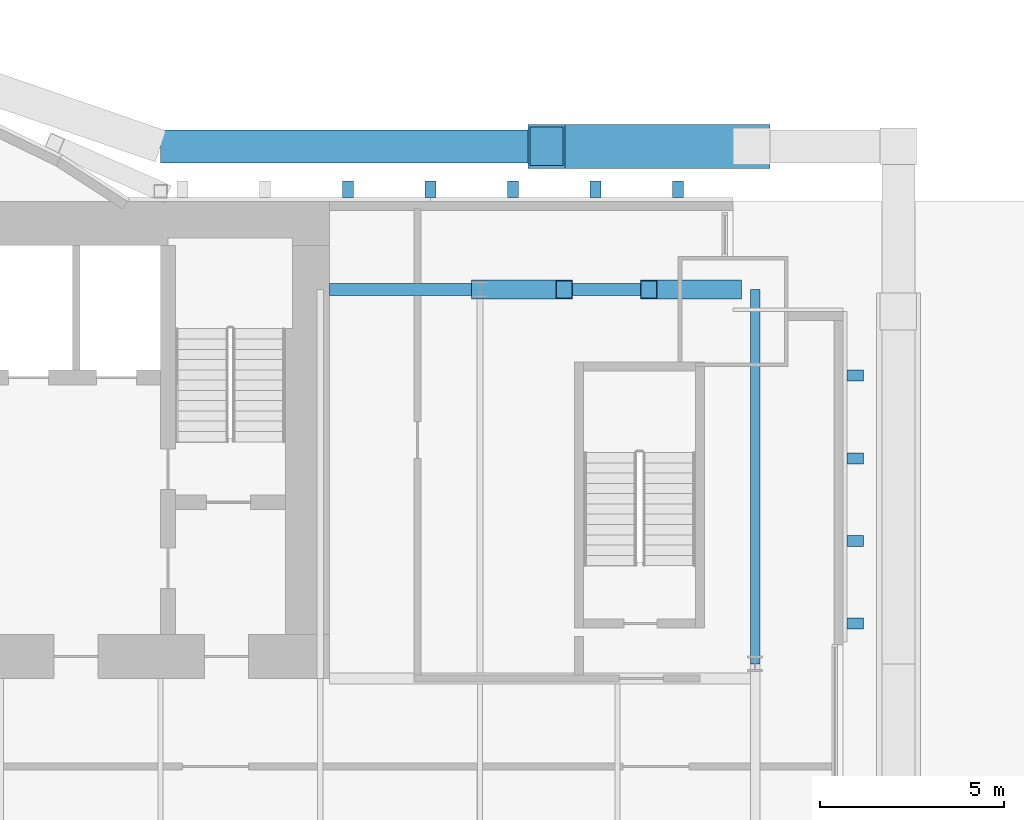
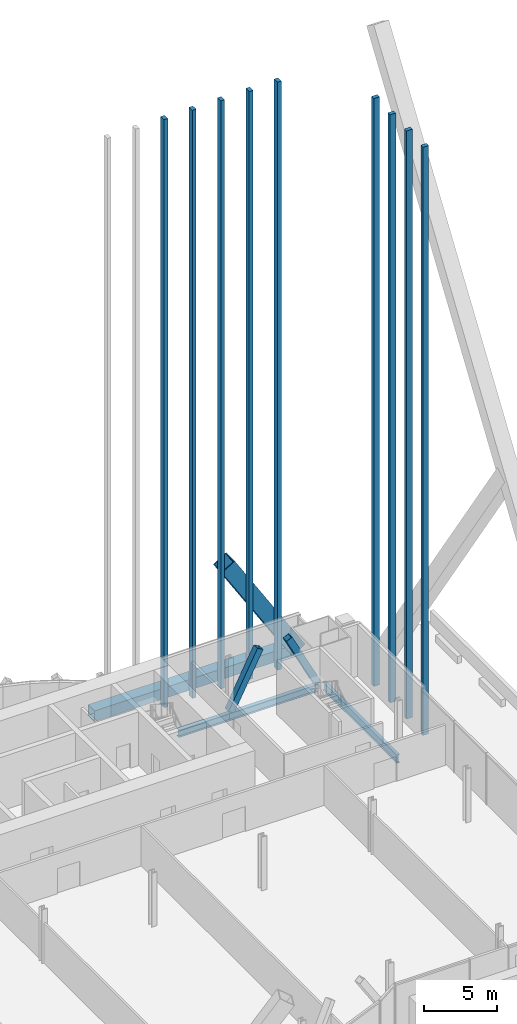
# One storey, part 18 of 29: 13 members, 3 beams, 2 elements without a shape of their own.
"""IFC4 building model written with IfcOpenShell, lengths in metres."""

import ifcopenshell
import ifcopenshell.guid

model = None  # the IFC model being written
_history = None  # IfcOwnerHistory: only IFC2X3 demands one
_inside = {}  # id of a spatial element -> (the spatial element, [elements in it])
_under = {}  # id of a project, library or spatial element -> (it, [spatial elements below it])
_declared = {}  # id of a project -> (the project, [libraries it declares])
_typed = {}  # id of a type object -> (the type object, [elements of that type])
_made_of = {}  # id of a material, layer set ... -> (it, [elements and type objects made of it])


def new_model(schema):
    """Start an empty IFC model of exactly this schema.

    Asked for "IFC4X3", IfcOpenShell would pick the latest addendum, in which some entities
    have other attributes; the version numbers below select the first issue.
    IFC2X3 requires an IfcOwnerHistory on every rooted entity: one is made here for all.
    """
    global model, _history
    if schema == "IFC4X3":
        model = ifcopenshell.file(schema_version=(4, 3, 0, 0))
    else:
        model = ifcopenshell.file(schema=schema)
    _inside.clear()
    _under.clear()
    _declared.clear()
    _typed.clear()
    _made_of.clear()
    _history = None
    if model.schema == "IFC2X3":
        org = make("IfcOrganization", Name="unknown")
        user = make(
            "IfcPersonAndOrganization",
            ThePerson=make("IfcPerson", FamilyName="unknown"),
            TheOrganization=org,
        )
        app = make(
            "IfcApplication",
            ApplicationDeveloper=org,
            Version="unknown",
            ApplicationFullName="unknown",
            ApplicationIdentifier="unknown",
        )
        _history = make(
            "IfcOwnerHistory",
            OwningUser=user,
            OwningApplication=app,
            ChangeAction="ADDED",
            CreationDate=0,
        )
    return model


def make(cls, **values):
    """One entity of the class cls with the attributes given. An attribute that is None is left unset."""
    return model.create_entity(
        cls, **{name: value for name, value in values.items() if value is not None}
    )


def rooted(cls, **values):
    """An entity with a GlobalId (a new one), such as an element, a storey or a relation."""
    return make(cls, GlobalId=ifcopenshell.guid.new(), OwnerHistory=_history, **values)


def si_unit(unit_type, name, prefix=None):
    """IfcSIUnit, for example si_unit("LENGTHUNIT", "METRE", prefix="MILLI")."""
    return make("IfcSIUnit", UnitType=unit_type, Prefix=prefix, Name=name)


def assignment(units):
    """IfcUnitAssignment: the units of a project."""
    return None if units is None else make("IfcUnitAssignment", Units=units)


def point(xyz):
    """IfcCartesianPoint."""
    return None if xyz is None else make("IfcCartesianPoint", Coordinates=xyz)


def direction(xyz):
    """IfcDirection."""
    return None if xyz is None else make("IfcDirection", DirectionRatios=xyz)


def frame(location, z_axis=None, x_axis=None):
    """IfcAxis2Placement3D, a coordinate frame: its origin and axes. An axis left out is left unset."""
    return make(
        "IfcAxis2Placement3D",
        Location=point(location),
        Axis=direction(z_axis),
        RefDirection=direction(x_axis),
    )


def frame_2d(location, x_axis=None):
    """IfcAxis2Placement2D, a coordinate frame in the plane: its origin and x axis."""
    return make(
        "IfcAxis2Placement2D", Location=point(location), RefDirection=direction(x_axis)
    )


def origin():
    """The frame at (0, 0, 0) with its axes left unset."""
    return frame((0.0, 0.0, 0.0))


def origin_2d():
    """The frame at (0, 0) in the plane with its x axis left unset."""
    return frame_2d((0.0, 0.0))


def place(relative_to, where):
    """IfcLocalPlacement: puts the frame where relative to a parent placement (None: the world)."""
    return make(
        "IfcLocalPlacement", PlacementRelTo=relative_to, RelativePlacement=where
    )


def context(
    kind, dimensions, precision=None, world=None, true_north=None, identifier=None
):
    """IfcGeometricRepresentationContext, for example the 3D "Model" context."""
    return make(
        "IfcGeometricRepresentationContext",
        ContextIdentifier=identifier,
        ContextType=kind,
        CoordinateSpaceDimension=dimensions,
        Precision=precision,
        WorldCoordinateSystem=world,
        TrueNorth=true_north,
    )


def subcontext(parent, identifier, kind, view, scale=None):
    """IfcGeometricRepresentationSubContext, for example "Body" below "Model"."""
    return make(
        "IfcGeometricRepresentationSubContext",
        ContextIdentifier=identifier,
        ContextType=kind,
        ParentContext=parent,
        TargetScale=scale,
        TargetView=view,
    )


def project(units=None, contexts=None):
    """IfcProject with its units and contexts."""
    return rooted(
        "IfcProject",
        Name="project",
        RepresentationContexts=contexts,
        UnitsInContext=assignment(units),
    )


def spatial(cls, under=None, at=None, **own):
    """A site, building, storey or space (cls), placed at a placement, below another one or the project."""
    s = rooted(cls, ObjectPlacement=at, **own)
    if under is not None:
        _under.setdefault(under.id(), (under, []))[1].append(s)
    return s


def profile(cls, at=None, kind="AREA", **sizes):
    """A parametric profile (cls). Its sizes go by their IFC names, for example OverallWidth=200.0."""
    return make(cls, ProfileType=kind, Position=at, **sizes)


def rectangle(**sizes):
    """IfcRectangleProfileDef."""
    return profile("IfcRectangleProfileDef", **sizes)


def hollow_rectangle(**sizes):
    """IfcRectangleHollowProfileDef."""
    return profile("IfcRectangleHollowProfileDef", **sizes)


def i_section(**sizes):
    """IfcIShapeProfileDef."""
    return profile("IfcIShapeProfileDef", **sizes)


def extrude(swept, where, along, depth):
    """IfcExtrudedAreaSolid: the profile swept, set in the frame where, extruded along a direction by depth."""
    return make(
        "IfcExtrudedAreaSolid",
        SweptArea=swept,
        Position=where,
        ExtrudedDirection=direction(along),
        Depth=depth,
    )


def shape(context_of_items, identifier, shape_type, items):
    """IfcShapeRepresentation: the items that make up one representation, for example the "Body"."""
    return make(
        "IfcShapeRepresentation",
        ContextOfItems=context_of_items,
        RepresentationIdentifier=identifier,
        RepresentationType=shape_type,
        Items=items,
    )


def material(Name=None, Category=None):
    """IfcMaterial."""
    return make("IfcMaterial", Name=Name, Category=Category)


def material_profile(
    of_material, cross_section, Name=None, Category=None, Priority=None
):
    """IfcMaterialProfile: a cross section and its material."""
    return make(
        "IfcMaterialProfile",
        Name=Name,
        Material=of_material,
        Profile=cross_section,
        Priority=Priority,
        Category=Category,
    )


def profile_set(profiles, Name=None, composite=None):
    """IfcMaterialProfileSet."""
    return make(
        "IfcMaterialProfileSet",
        Name=Name,
        MaterialProfiles=profiles,
        CompositeProfile=composite,
    )


def made_of(thing, what):
    """Note that an element or type object is made of a material, layer set ...; save() writes the relation."""
    if what is not None:
        _made_of.setdefault(what.id(), (what, []))[1].append(thing)
    return thing


def type_object(cls, material=None, **own):
    """A type object (cls), such as IfcWallType, which elements share."""
    return made_of(rooted(cls, **own), material)


def element(
    cls,
    number,
    at=None,
    inside=None,
    cuts=None,
    type_object=None,
    material=None,
    context=None,
    identifier="Body",
    shape_type=None,
    held_by="IfcProductDefinitionShape",
    body=None,
    shapes=None,
    **own,
):
    """One element of the class cls, such as IfcWall. Its Tag is "e" and its number.

    at: its placement. inside: the storey or other place that contains it. cuts: it is an
    opening in that element (IfcRelVoidsElement). A single representation is given by context,
    identifier, shape_type and body (its items); several are given by shapes. held_by: the class
    of the entity that holds the representations. save() writes the other relations.
    """
    e = rooted(cls, Tag="e%d" % number, ObjectPlacement=at, **own)
    if body is not None:
        shapes = [shape(context, identifier, shape_type, body)]
    if shapes is not None:
        e.Representation = make(held_by, Representations=shapes)
    if inside is not None:
        _inside.setdefault(inside.id(), (inside, []))[1].append(e)
    if cuts is not None:
        rooted(
            "IfcRelVoidsElement", RelatingBuildingElement=cuts, RelatedOpeningElement=e
        )
    if type_object is not None:
        _typed.setdefault(type_object.id(), (type_object, []))[1].append(e)
    return made_of(e, material)


def aggregate(whole, parts):
    """IfcRelAggregates: a whole, such as a stair, and the parts it consists of."""
    return rooted("IfcRelAggregates", RelatingObject=whole, RelatedObjects=parts)


def save(model, path):
    """Write the relations noted so far, then the file.

    IfcRelAggregates (storeys below a building ...), IfcRelContainedInSpatialStructure (elements
    in a storey), IfcRelDefinesByType, IfcRelAssociatesMaterial and IfcRelDeclares: one each for
    every whole, place, type object, material and project.
    """
    for whole, parts in _under.values():
        aggregate(whole, parts)
    for where, things in _inside.values():
        rooted(
            "IfcRelContainedInSpatialStructure",
            RelatedElements=things,
            RelatingStructure=where,
        )
    for kind, things in _typed.values():
        rooted("IfcRelDefinesByType", RelatedObjects=things, RelatingType=kind)
    for what, things in _made_of.values():
        rooted("IfcRelAssociatesMaterial", RelatedObjects=things, RelatingMaterial=what)
    for by, libraries in _declared.values():
        rooted("IfcRelDeclares", RelatingContext=by, RelatedDefinitions=libraries)
    model.write(path)


model = new_model("IFC4")

# Units and contexts
model_context = context("Model", 3, precision=1e-05, world=origin(), true_north=direction((0.0, 1.0)))
body_context = subcontext(model_context, "Body", "Model", "MODEL_VIEW")
ifc_project = project(units=[si_unit("LENGTHUNIT", "METRE"), si_unit("AREAUNIT", "SQUARE_METRE"), si_unit("VOLUMEUNIT", "CUBIC_METRE"), si_unit("PLANEANGLEUNIT", "RADIAN"), si_unit("MASSUNIT", "GRAM", prefix="KILO")], contexts=[model_context])

# Site, building, storey
site_placement = place(None, origin())
site = spatial("IfcSite", under=ifc_project, at=site_placement, CompositionType="ELEMENT")
building_placement = place(site_placement, origin())
building = spatial("IfcBuilding", under=site, at=building_placement, Name="Bicima Exchange Tower", CompositionType="ELEMENT")
storey_placement = place(building_placement, frame((0.0, 0.0, 35.0)))
storey = spatial("IfcBuildingStorey", under=building, at=storey_placement, Name="L06", CompositionType="ELEMENT", Elevation=35.0)

# Beam
ifc_material_1 = material(Name="Steel ASTM A992 Gr 50", Category="steel")
ifc_material_profile_1 = material_profile(ifc_material_1, i_section(OverallWidth=0.256591796875, OverallDepth=0.693359375, WebThickness=0.014404296875, FlangeThickness=0.023681640625, at=origin_2d()))
ifc_profile_set_1 = profile_set([ifc_material_profile_1], Name="Steel ASTM A992 Gr 50")
beam_type_1 = type_object("IfcBeamType", Name="End girder W27x114", PredefinedType="BEAM", material=ifc_profile_set_1)
beam_1_placement = place(storey_placement, frame((33.60009765625, -2.39990234375, -0.49658203125), z_axis=(0.0, -1.0, 0.0), x_axis=(1.0, 0.0, 0.0)))
element("IfcBeam", 1, at=beam_1_placement, inside=storey, type_object=beam_type_1, Name="End girder", PredefinedType="BEAM", context=body_context, shape_type="SweptSolid", body=[
    extrude(i_section(OverallWidth=0.256591796875, OverallDepth=0.693359375, WebThickness=0.014404296875, FlangeThickness=0.023681640625, at=origin_2d()), origin(), (0.0, 0.0, 1.0), 10.2001953125),
])

# Members
ifc_material_2 = material(Name="Steel ASTM A572 Gr 50", Category="steel")
ifc_material_profile_2 = material_profile(ifc_material_2, hollow_rectangle(XDim=0.89990234375, YDim=0.89990234375, WallThickness=0.050048828125, at=origin_2d()))
ifc_profile_set_2 = profile_set([ifc_material_profile_2], Name="Steel ASTM A572 Gr 50")
member_type_1 = type_object("IfcMemberType", Name="Exo belt ring BOX 900x900x50", PredefinedType="CHORD", material=ifc_profile_set_2)
member_1_placement = place(storey_placement, frame((33.5, 1.5, 0.449951171875), z_axis=(-1.0, 0.0, 0.0), x_axis=(0.0, -1.0, 0.0)))
element("IfcMember", 2, at=member_1_placement, inside=storey, type_object=member_type_1, Name="Exo belt ring", PredefinedType="CHORD", context=body_context, shape_type="SweptSolid", body=[
    extrude(hollow_rectangle(XDim=0.89990234375, YDim=0.89990234375, WallThickness=0.050048828125, at=origin_2d()), origin(), (0.0, 0.0, 1.0), 16.10009765625),
])
ifc_material_profile_3 = material_profile(ifc_material_2, hollow_rectangle(XDim=1.199951171875, YDim=1.199951171875, WallThickness=0.070068359375, at=origin_2d()))
ifc_profile_set_3 = profile_set([ifc_material_profile_3], Name="Steel ASTM A572 Gr 50")
member_type_2 = type_object("IfcMemberType", Name="Exo mega brace BOX 1200x1200x70", PredefinedType="BRACE", material=ifc_profile_set_3)
member_2_placement = place(storey_placement, frame((33.5, 1.5, 0.449951171875), z_axis=(-0.53034701569, 0.0, 0.847780657334), x_axis=(0.0, -1.0, 0.0)))
element("IfcMember", 3, at=member_2_placement, inside=storey, type_object=member_type_2, Name="Exo mega brace rear", PredefinedType="BRACE", context=body_context, shape_type="SweptSolid", body=[
    extrude(hollow_rectangle(XDim=1.199951171875, YDim=1.199951171875, WallThickness=0.070068359375, at=origin_2d()), origin(), (0.0, 0.0, 1.0), 10.527587890625),
])
ifc_material_profile_4 = material_profile(ifc_material_2, hollow_rectangle(XDim=0.508056640625, YDim=0.508056640625, WallThickness=0.017822265625, at=origin_2d()))
ifc_profile_set_4 = profile_set([ifc_material_profile_4], Name="Steel ASTM A572 Gr 50")
member_type_3 = type_object("IfcMemberType", Name="Mega brace HSS20x20x3/4", PredefinedType="BRACE", material=ifc_profile_set_4)
for number, where, z_axis, x_axis, name in (
    (4, (26.10009765625, -2.39990234375, 0.0), (0.455080416514, 0.0, 0.89045034365), (0.0, 1.0, 0.0), "Mega brace rear"),
    (5, (33.0, -2.39990234375, 0.0), (-0.455118720355, 0.0, 0.890430766754), (0.0, -1.0, 0.0), "Mega brace rear"),
):
    element("IfcMember", number, at=place(storey_placement, frame(where, z_axis=z_axis, x_axis=x_axis)), inside=storey, type_object=member_type_3, Name=name, PredefinedType="BRACE", context=body_context, shape_type="SweptSolid", body=[
        extrude(hollow_rectangle(XDim=0.508056640625, YDim=0.508056640625, WallThickness=0.017822265625, at=origin_2d()), origin(), (0.0, 0.0, 1.0), 5.0537109375),
    ])

# Curtain wall, members
ifc_material_3 = material(Name="Anodised bronze aluminium", Category="aluminium")
curtain_wall_type = type_object("IfcCurtainWallType", Name="Rear blade screen", PredefinedType="NOTDEFINED", material=ifc_material_3)
curtain_wall_1_placement = place(storey_placement, origin())
curtain_wall_1 = element("IfcCurtainWall", 6, at=curtain_wall_1_placement, inside=storey, type_object=curtain_wall_type, Name="Rear blade screen L06-L16 E", PredefinedType="NOTDEFINED")
ifc_material_profile_5 = material_profile(ifc_material_3, rectangle(XDim=0.449951171875, YDim=0.300048828125, at=origin_2d()))
ifc_profile_set_5 = profile_set([ifc_material_profile_5], Name="Anodised bronze aluminium")
member_type_4 = type_object("IfcMemberType", Name="Rear blade fin 450 x 300", PredefinedType="USERDEFINED", material=ifc_profile_set_5)
member_3_placement = place(storey_placement, frame((22.5, 0.324951171875, 0.0), z_axis=(0.0, 0.0, 1.0), x_axis=(0.0, 1.0, 0.0)))
member_3 = element("IfcMember", 7, at=member_3_placement, type_object=member_type_4, Name="Rear blade fin L06-L16 15", ObjectType="FIN", PredefinedType="USERDEFINED", context=body_context, shape_type="SweptSolid", body=[
    extrude(rectangle(XDim=0.449951171875, YDim=0.300048828125, at=origin_2d()), origin(), (0.0, 0.0, 1.0), 49.300048828125),
])
member_4_placement = place(storey_placement, frame((24.75, 0.324951171875, 0.0), z_axis=(0.0, 0.0, 1.0), x_axis=(0.0, 1.0, 0.0)))
member_4 = element("IfcMember", 8, at=member_4_placement, type_object=member_type_4, Name="Rear blade fin L06-L16 16", ObjectType="FIN", PredefinedType="USERDEFINED", context=body_context, shape_type="SweptSolid", body=[
    extrude(rectangle(XDim=0.449951171875, YDim=0.300048828125, at=origin_2d()), origin(), (0.0, 0.0, 1.0), 49.300048828125),
])
member_5_placement = place(storey_placement, frame((27.0, 0.324951171875, 0.0), z_axis=(0.0, 0.0, 1.0), x_axis=(0.0, 1.0, 0.0)))
member_5 = element("IfcMember", 9, at=member_5_placement, type_object=member_type_4, Name="Rear blade fin L06-L16 17", ObjectType="FIN", PredefinedType="USERDEFINED", context=body_context, shape_type="SweptSolid", body=[
    extrude(rectangle(XDim=0.449951171875, YDim=0.300048828125, at=origin_2d()), origin(), (0.0, 0.0, 1.0), 49.300048828125),
])
member_6_placement = place(storey_placement, frame((29.25, 0.324951171875, 0.0), z_axis=(0.0, 0.0, 1.0), x_axis=(0.0, 1.0, 0.0)))
member_6 = element("IfcMember", 10, at=member_6_placement, type_object=member_type_4, Name="Rear blade fin L06-L16 18", ObjectType="FIN", PredefinedType="USERDEFINED", context=body_context, shape_type="SweptSolid", body=[
    extrude(rectangle(XDim=0.449951171875, YDim=0.300048828125, at=origin_2d()), origin(), (0.0, 0.0, 1.0), 49.300048828125),
])
member_7_placement = place(storey_placement, frame((31.5, 0.324951171875, 0.0), z_axis=(0.0, 0.0, 1.0), x_axis=(0.0, 1.0, 0.0)))
member_7 = element("IfcMember", 11, at=member_7_placement, type_object=member_type_4, Name="Rear blade fin L06-L16 19", ObjectType="FIN", PredefinedType="USERDEFINED", context=body_context, shape_type="SweptSolid", body=[
    extrude(rectangle(XDim=0.449951171875, YDim=0.300048828125, at=origin_2d()), origin(), (0.0, 0.0, 1.0), 49.300048828125),
])
aggregate(curtain_wall_1, [member_3, member_4, member_5, member_6, member_7])

curtain_wall_2_placement = place(storey_placement, origin())
curtain_wall_2 = element("IfcCurtainWall", 12, at=curtain_wall_2_placement, inside=storey, type_object=curtain_wall_type, Name="End blade screen L06-L16", PredefinedType="NOTDEFINED")
member_8_placement = place(storey_placement, frame((36.324951171875, -11.5, 0.0), z_axis=(0.0, 0.0, 1.0), x_axis=(1.0, 0.0, 0.0)))
member_8 = element("IfcMember", 13, at=member_8_placement, type_object=member_type_4, Name="End blade fin L06-L16 1", ObjectType="FIN", PredefinedType="USERDEFINED", context=body_context, shape_type="SweptSolid", body=[
    extrude(rectangle(XDim=0.449951171875, YDim=0.300048828125, at=origin_2d()), origin(), (0.0, 0.0, 1.0), 49.300048828125),
])
member_9_placement = place(storey_placement, frame((36.324951171875, -9.25, 0.0), z_axis=(0.0, 0.0, 1.0), x_axis=(1.0, 0.0, 0.0)))
member_9 = element("IfcMember", 14, at=member_9_placement, type_object=member_type_4, Name="End blade fin L06-L16 2", ObjectType="FIN", PredefinedType="USERDEFINED", context=body_context, shape_type="SweptSolid", body=[
    extrude(rectangle(XDim=0.449951171875, YDim=0.300048828125, at=origin_2d()), origin(), (0.0, 0.0, 1.0), 49.300048828125),
])
member_10_placement = place(storey_placement, frame((36.324951171875, -7.0, 0.0), z_axis=(0.0, 0.0, 1.0), x_axis=(1.0, 0.0, 0.0)))
member_10 = element("IfcMember", 15, at=member_10_placement, type_object=member_type_4, Name="End blade fin L06-L16 3", ObjectType="FIN", PredefinedType="USERDEFINED", context=body_context, shape_type="SweptSolid", body=[
    extrude(rectangle(XDim=0.449951171875, YDim=0.300048828125, at=origin_2d()), origin(), (0.0, 0.0, 1.0), 49.300048828125),
])
member_11_placement = place(storey_placement, frame((36.324951171875, -4.75, 0.0), z_axis=(0.0, 0.0, 1.0), x_axis=(1.0, 0.0, 0.0)))
member_11 = element("IfcMember", 16, at=member_11_placement, type_object=member_type_4, Name="End blade fin L06-L16 4", ObjectType="FIN", PredefinedType="USERDEFINED", context=body_context, shape_type="SweptSolid", body=[
    extrude(rectangle(XDim=0.449951171875, YDim=0.300048828125, at=origin_2d()), origin(), (0.0, 0.0, 1.0), 49.300048828125),
])
aggregate(curtain_wall_2, [member_8, member_9, member_10, member_11])

# Beams
ifc_material_profile_6 = material_profile(ifc_material_1, i_section(OverallWidth=0.3251953125, OverallDepth=0.612060546875, WebThickness=0.0126953125, FlangeThickness=0.01904296875, at=origin_2d()))
ifc_profile_set_6 = profile_set([ifc_material_profile_6], Name="Steel ASTM A992 Gr 50")
beam_type_2 = type_object("IfcBeamType", Name="Rear girder W24x104", PredefinedType="BEAM", material=ifc_profile_set_6)
beam_2_placement = place(storey_placement, frame((22.0, -2.39990234375, -0.4560546875), z_axis=(1.0, 0.0, 0.0), x_axis=(0.0, 1.0, 0.0)))
element("IfcBeam", 17, at=beam_2_placement, inside=storey, type_object=beam_type_2, Name="Rear girder", PredefinedType="BEAM", context=body_context, shape_type="SweptSolid", body=[
    extrude(i_section(OverallWidth=0.3251953125, OverallDepth=0.612060546875, WebThickness=0.0126953125, FlangeThickness=0.01904296875, at=origin_2d()), origin(), (0.0, 0.0, 1.0), 4.10009765625),
])
beam_3_placement = place(storey_placement, frame((26.10009765625, -2.39990234375, -0.4560546875), z_axis=(1.0, 0.0, 0.0), x_axis=(0.0, 1.0, 0.0)))
element("IfcBeam", 18, at=beam_3_placement, inside=storey, type_object=beam_type_2, Name="Rear girder", PredefinedType="BEAM", context=body_context, shape_type="SweptSolid", body=[
    extrude(i_section(OverallWidth=0.3251953125, OverallDepth=0.612060546875, WebThickness=0.0126953125, FlangeThickness=0.01904296875, at=origin_2d()), origin(), (0.0, 0.0, 1.0), 6.89990234375),
])

save(model, "model.ifc")
